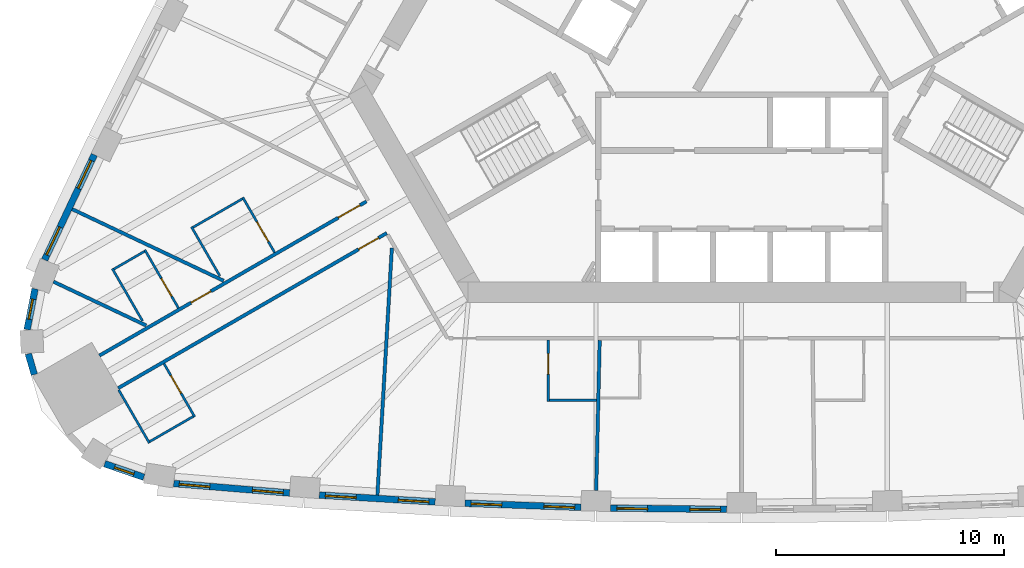
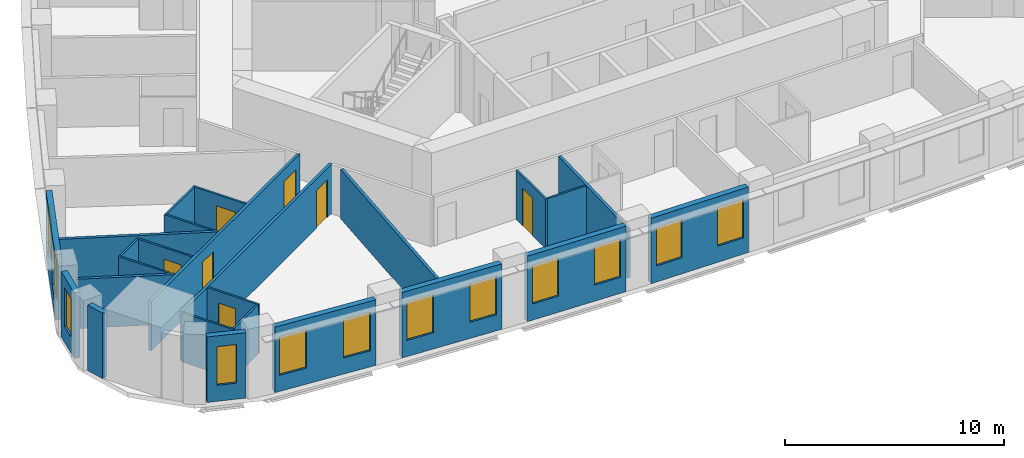
# One storey, part 3 of 12: 25 walls, 12 windows, 7 doors, 19 openings.
"""IFC4 building model written with IfcOpenShell, lengths in metres."""

from ifc_helpers import new_model, si_unit, direction, frame, frame_2d, origin, place, context, subcontext, project, spatial, rectangle, extrude, material, layer, layer_set, type_object, element, fill, save


model = new_model("IFC4")

# Units and contexts
model_context = context("Model", 3, precision=1e-05, world=origin(), true_north=direction((0.0, 1.0)))
body_context = subcontext(model_context, "Body", "Model", "MODEL_VIEW")
ifc_project = project(units=[si_unit("LENGTHUNIT", "METRE"), si_unit("AREAUNIT", "SQUARE_METRE"), si_unit("VOLUMEUNIT", "CUBIC_METRE"), si_unit("PLANEANGLEUNIT", "RADIAN"), si_unit("MASSUNIT", "GRAM", prefix="KILO")], contexts=[model_context])

# Site, building, storey
site_placement = place(None, origin())
site = spatial("IfcSite", under=ifc_project, at=site_placement, CompositionType="ELEMENT")
building_placement = place(site_placement, origin())
building = spatial("IfcBuilding", under=site, at=building_placement, Name="Mestral Congress Tower", CompositionType="ELEMENT")
storey_placement = place(building_placement, frame((0.0, 0.0, 111.0)))
storey = spatial("IfcBuildingStorey", under=building, at=storey_placement, Name="L26", CompositionType="ELEMENT", Elevation=111.0)

# Wall, openings, windows
ifc_material_1 = material(Name="Precast concrete C40/50 with limestone facing", Category="masonry")
ifc_layer_1 = layer(ifc_material_1, 0.2900390625)
ifc_layer_set_1 = layer_set([ifc_layer_1], Name="Precast concrete C40/50 with limestone facing")
wall_type_1 = type_object("IfcWallType", Name="Facade stone wall 290", PredefinedType="SOLIDWALL", material=ifc_layer_set_1)
wall_1_placement = place(storey_placement, frame((-24.9462890625, -20.95361328125, 0.0), z_axis=(0.0, 0.0, 1.0), x_axis=(0.99665273362, -0.081751627308, 0.0)))
wall_1 = element("IfcWall", 1, at=wall_1_placement, inside=storey, type_object=wall_type_1, Name="Facade wall F0-00", PredefinedType="SOLIDWALL", context=body_context, shape_type="SweptSolid", body=[
    extrude(rectangle(XDim=5.106689453125, YDim=0.2900390625, at=frame_2d((2.55322265625, 0.0))), origin(), (0.0, 0.0, 1.0), 3.64990234375),
])
opening_1_placement = place(wall_1_placement, frame((0.240478515625, 0.0, 0.89990234375)))
opening_1 = element("IfcOpeningElement", 2, at=opening_1_placement, cuts=wall_1, Name="Opening W2", PredefinedType="OPENING", context=body_context, shape_type="SweptSolid", body=[
    extrude(rectangle(XDim=1.35009765625, YDim=2.14990234375, at=frame_2d((0.675048828125, 1.074951171875))), frame((0.0, 0.155029296875, 0.0), z_axis=(0.0, -1.0, 0.0), x_axis=(1.0, 0.0, 0.0)), (0.0, 0.0, 1.0), 0.31005859375),
])
opening_2_placement = place(wall_1_placement, frame((3.47119140625, 0.0, 0.89990234375)))
opening_2 = element("IfcOpeningElement", 3, at=opening_2_placement, cuts=wall_1, Name="Opening W2", PredefinedType="OPENING", context=body_context, shape_type="SweptSolid", body=[
    extrude(rectangle(XDim=1.35009765625, YDim=2.14990234375, at=frame_2d((0.675048828125, 1.074951171875))), frame((0.0, 0.155029296875, 0.0), z_axis=(0.0, -1.0, 0.0), x_axis=(1.0, 0.0, 0.0)), (0.0, 0.0, 1.0), 0.31005859375),
])
ifc_material_2 = material(Name="Clear low-emissivity double glazing", Category="glass")
window_type_1 = type_object("IfcWindowType", Name="Facade punched window 1350 x 2150 sill 900", PartitioningType="DOUBLE_PANEL_VERTICAL", PredefinedType="WINDOW", material=ifc_material_2)
window_1_placement = place(opening_1_placement, origin())
window_1 = element("IfcWindow", 4, at=window_1_placement, inside=storey, type_object=window_type_1, Name="Window F0-00a", OverallHeight=2.14990234375, OverallWidth=1.35009765625, PartitioningType="DOUBLE_PANEL_VERTICAL", PredefinedType="WINDOW", context=body_context, shape_type="SweptSolid", body=[
    extrude(rectangle(XDim=1.35009765625, YDim=2.14990234375, at=frame_2d((0.675048828125, 1.074951171875))), frame((0.0, 0.01513671875, 0.0), z_axis=(0.0, -1.0, 0.0), x_axis=(1.0, 0.0, 0.0)), (0.0, 0.0, 1.0), 0.06005859375),
])
fill(opening_1, window_1)
window_2_placement = place(opening_2_placement, origin())
window_2 = element("IfcWindow", 5, at=window_2_placement, inside=storey, type_object=window_type_1, Name="Window F0-00b", OverallHeight=2.14990234375, OverallWidth=1.35009765625, PartitioningType="DOUBLE_PANEL_VERTICAL", PredefinedType="WINDOW", context=body_context, shape_type="SweptSolid", body=[
    extrude(rectangle(XDim=1.35009765625, YDim=2.14990234375, at=frame_2d((0.675048828125, 1.074951171875))), frame((0.0, 0.01513671875, 0.0), z_axis=(0.0, -1.0, 0.0), x_axis=(1.0, 0.0, 0.0)), (0.0, 0.0, 1.0), 0.06005859375),
])
fill(opening_2, window_2)

wall_2_placement = place(storey_placement, frame((-18.553466796875, -21.462890625, 0.0), z_axis=(0.0, 0.0, 1.0), x_axis=(0.998290511436, -0.058447025388, 0.0)))
wall_2 = element("IfcWall", 6, at=wall_2_placement, inside=storey, type_object=wall_type_1, Name="Facade wall F0-01", PredefinedType="SOLIDWALL", context=body_context, shape_type="SweptSolid", body=[
    extrude(rectangle(XDim=5.100341796875, YDim=0.2900390625, at=frame_2d((2.55029296875, 0.0))), origin(), (0.0, 0.0, 1.0), 3.64990234375),
])
opening_3_placement = place(wall_2_placement, frame((0.272705078125, 0.0, 0.89990234375)))
opening_3 = element("IfcOpeningElement", 7, at=opening_3_placement, cuts=wall_2, Name="Opening W2", PredefinedType="OPENING", context=body_context, shape_type="SweptSolid", body=[
    extrude(rectangle(XDim=1.35009765625, YDim=2.14990234375, at=frame_2d((0.675048828125, 1.074951171875))), frame((0.0, 0.155029296875, 0.0), z_axis=(0.0, -1.0, 0.0), x_axis=(1.0, 0.0, 0.0)), (0.0, 0.0, 1.0), 0.31005859375),
])
opening_4_placement = place(wall_2_placement, frame((3.477783203125, 0.0, 0.89990234375)))
opening_4 = element("IfcOpeningElement", 8, at=opening_4_placement, cuts=wall_2, Name="Opening W2", PredefinedType="OPENING", context=body_context, shape_type="SweptSolid", body=[
    extrude(rectangle(XDim=1.35009765625, YDim=2.14990234375, at=frame_2d((0.675048828125, 1.074951171875))), frame((0.0, 0.155029296875, 0.0), z_axis=(0.0, -1.0, 0.0), x_axis=(1.0, 0.0, 0.0)), (0.0, 0.0, 1.0), 0.31005859375),
])
window_3_placement = place(opening_3_placement, origin())
window_3 = element("IfcWindow", 9, at=window_3_placement, inside=storey, type_object=window_type_1, Name="Window F0-01a", OverallHeight=2.14990234375, OverallWidth=1.35009765625, PartitioningType="DOUBLE_PANEL_VERTICAL", PredefinedType="WINDOW", context=body_context, shape_type="SweptSolid", body=[
    extrude(rectangle(XDim=1.35009765625, YDim=2.14990234375, at=frame_2d((0.675048828125, 1.074951171875))), frame((0.0, 0.01513671875, 0.0), z_axis=(0.0, -1.0, 0.0), x_axis=(1.0, 0.0, 0.0)), (0.0, 0.0, 1.0), 0.06005859375),
])
fill(opening_3, window_3)
window_4_placement = place(opening_4_placement, origin())
window_4 = element("IfcWindow", 10, at=window_4_placement, inside=storey, type_object=window_type_1, Name="Window F0-01b", OverallHeight=2.14990234375, OverallWidth=1.35009765625, PartitioningType="DOUBLE_PANEL_VERTICAL", PredefinedType="WINDOW", context=body_context, shape_type="SweptSolid", body=[
    extrude(rectangle(XDim=1.35009765625, YDim=2.14990234375, at=frame_2d((0.675048828125, 1.074951171875))), frame((0.0, 0.01513671875, 0.0), z_axis=(0.0, -1.0, 0.0), x_axis=(1.0, 0.0, 0.0)), (0.0, 0.0, 1.0), 0.06005859375),
])
fill(opening_4, window_4)

wall_3_placement = place(storey_placement, frame((-12.15673828125, -21.822021484375, 0.0), z_axis=(0.0, 0.0, 1.0), x_axis=(0.999385993957, -0.035037623812, 0.0)))
wall_3 = element("IfcWall", 11, at=wall_3_placement, inside=storey, type_object=wall_type_1, Name="Facade wall F0-02", PredefinedType="SOLIDWALL", context=body_context, shape_type="SweptSolid", body=[
    extrude(rectangle(XDim=5.1005859375, YDim=0.2900390625, at=frame_2d((2.55029296875, 0.0))), origin(), (0.0, 0.0, 1.0), 3.64990234375),
])
opening_5_placement = place(wall_3_placement, frame((0.272705078125, 0.0, 0.89990234375)))
opening_5 = element("IfcOpeningElement", 12, at=opening_5_placement, cuts=wall_3, Name="Opening W2", PredefinedType="OPENING", context=body_context, shape_type="SweptSolid", body=[
    extrude(rectangle(XDim=1.35009765625, YDim=2.14990234375, at=frame_2d((0.675048828125, 1.074951171875))), frame((0.0, 0.155029296875, 0.0), z_axis=(0.0, -1.0, 0.0), x_axis=(1.0, 0.0, 0.0)), (0.0, 0.0, 1.0), 0.31005859375),
])
opening_6_placement = place(wall_3_placement, frame((3.477783203125, 0.0, 0.89990234375)))
opening_6 = element("IfcOpeningElement", 13, at=opening_6_placement, cuts=wall_3, Name="Opening W2", PredefinedType="OPENING", context=body_context, shape_type="SweptSolid", body=[
    extrude(rectangle(XDim=1.35009765625, YDim=2.14990234375, at=frame_2d((0.675048828125, 1.074951171875))), frame((0.0, 0.155029296875, 0.0), z_axis=(0.0, -1.0, 0.0), x_axis=(1.0, 0.0, 0.0)), (0.0, 0.0, 1.0), 0.31005859375),
])
window_5_placement = place(opening_5_placement, origin())
window_5 = element("IfcWindow", 14, at=window_5_placement, inside=storey, type_object=window_type_1, Name="Window F0-02a", OverallHeight=2.14990234375, OverallWidth=1.35009765625, PartitioningType="DOUBLE_PANEL_VERTICAL", PredefinedType="WINDOW", context=body_context, shape_type="SweptSolid", body=[
    extrude(rectangle(XDim=1.35009765625, YDim=2.14990234375, at=frame_2d((0.675048828125, 1.074951171875))), frame((0.0, 0.01513671875, 0.0), z_axis=(0.0, -1.0, 0.0), x_axis=(1.0, 0.0, 0.0)), (0.0, 0.0, 1.0), 0.06005859375),
])
fill(opening_5, window_5)
window_6_placement = place(opening_6_placement, origin())
window_6 = element("IfcWindow", 15, at=window_6_placement, inside=storey, type_object=window_type_1, Name="Window F0-02b", OverallHeight=2.14990234375, OverallWidth=1.35009765625, PartitioningType="DOUBLE_PANEL_VERTICAL", PredefinedType="WINDOW", context=body_context, shape_type="SweptSolid", body=[
    extrude(rectangle(XDim=1.35009765625, YDim=2.14990234375, at=frame_2d((0.675048828125, 1.074951171875))), frame((0.0, 0.01513671875, 0.0), z_axis=(0.0, -1.0, 0.0), x_axis=(1.0, 0.0, 0.0)), (0.0, 0.0, 1.0), 0.06005859375),
])
fill(opening_6, window_6)

wall_4_placement = place(storey_placement, frame((-5.753173828125, -22.031494140625, 0.0), z_axis=(0.0, 0.0, 1.0), x_axis=(0.999931786565, -0.011679992145, 0.0)))
wall_4 = element("IfcWall", 16, at=wall_4_placement, inside=storey, type_object=wall_type_1, Name="Facade wall F0-03", PredefinedType="SOLIDWALL", context=body_context, shape_type="SweptSolid", body=[
    extrude(rectangle(XDim=5.10009765625, YDim=0.2900390625, at=frame_2d((2.550048828125, 0.0))), origin(), (0.0, 0.0, 1.0), 3.64990234375),
])
opening_7_placement = place(wall_4_placement, frame((0.2724609375, 0.0, 0.89990234375)))
opening_7 = element("IfcOpeningElement", 17, at=opening_7_placement, cuts=wall_4, Name="Opening W2", PredefinedType="OPENING", context=body_context, shape_type="SweptSolid", body=[
    extrude(rectangle(XDim=1.35009765625, YDim=2.14990234375, at=frame_2d((0.675048828125, 1.074951171875))), frame((0.0, 0.155029296875, 0.0), z_axis=(0.0, -1.0, 0.0), x_axis=(1.0, 0.0, 0.0)), (0.0, 0.0, 1.0), 0.31005859375),
])
opening_8_placement = place(wall_4_placement, frame((3.477783203125, 0.0, 0.89990234375)))
opening_8 = element("IfcOpeningElement", 18, at=opening_8_placement, cuts=wall_4, Name="Opening W2", PredefinedType="OPENING", context=body_context, shape_type="SweptSolid", body=[
    extrude(rectangle(XDim=1.35009765625, YDim=2.14990234375, at=frame_2d((0.675048828125, 1.074951171875))), frame((0.0, 0.155029296875, 0.0), z_axis=(0.0, -1.0, 0.0), x_axis=(1.0, 0.0, 0.0)), (0.0, 0.0, 1.0), 0.31005859375),
])
window_7_placement = place(opening_7_placement, origin())
window_7 = element("IfcWindow", 19, at=window_7_placement, inside=storey, type_object=window_type_1, Name="Window F0-03a", OverallHeight=2.14990234375, OverallWidth=1.35009765625, PartitioningType="DOUBLE_PANEL_VERTICAL", PredefinedType="WINDOW", context=body_context, shape_type="SweptSolid", body=[
    extrude(rectangle(XDim=1.35009765625, YDim=2.14990234375, at=frame_2d((0.675048828125, 1.074951171875))), frame((0.0, 0.01513671875, 0.0), z_axis=(0.0, -1.0, 0.0), x_axis=(1.0, 0.0, 0.0)), (0.0, 0.0, 1.0), 0.06005859375),
])
fill(opening_7, window_7)
window_8_placement = place(opening_8_placement, origin())
window_8 = element("IfcWindow", 20, at=window_8_placement, inside=storey, type_object=window_type_1, Name="Window F0-03b", OverallHeight=2.14990234375, OverallWidth=1.35009765625, PartitioningType="DOUBLE_PANEL_VERTICAL", PredefinedType="WINDOW", context=body_context, shape_type="SweptSolid", body=[
    extrude(rectangle(XDim=1.35009765625, YDim=2.14990234375, at=frame_2d((0.675048828125, 1.074951171875))), frame((0.0, 0.01513671875, 0.0), z_axis=(0.0, -1.0, 0.0), x_axis=(1.0, 0.0, 0.0)), (0.0, 0.0, 1.0), 0.06005859375),
])
fill(opening_8, window_8)

wall_5_placement = place(storey_placement, frame((-28.436279296875, -6.5107421875, 0.0), z_axis=(0.0, 0.0, 1.0), x_axis=(-0.427543726596, -0.903994669148, 0.0)))
wall_5 = element("IfcWall", 21, at=wall_5_placement, inside=storey, type_object=wall_type_1, Name="Facade wall F2-07", PredefinedType="SOLIDWALL", context=body_context, shape_type="SweptSolid", body=[
    extrude(rectangle(XDim=5.106689453125, YDim=0.2900390625, at=frame_2d((2.55322265625, 0.0))), origin(), (0.0, 0.0, 1.0), 3.64990234375),
])
opening_9_placement = place(wall_5_placement, frame((0.285400390625, 0.0, 0.89990234375)))
opening_9 = element("IfcOpeningElement", 22, at=opening_9_placement, cuts=wall_5, Name="Opening W2", PredefinedType="OPENING", context=body_context, shape_type="SweptSolid", body=[
    extrude(rectangle(XDim=1.35009765625, YDim=2.14990234375, at=frame_2d((0.675048828125, 1.074951171875))), frame((0.0, 0.155029296875, 0.0), z_axis=(0.0, -1.0, 0.0), x_axis=(1.0, 0.0, 0.0)), (0.0, 0.0, 1.0), 0.31005859375),
])
opening_10_placement = place(wall_5_placement, frame((3.516357421875, 0.0, 0.89990234375)))
opening_10 = element("IfcOpeningElement", 23, at=opening_10_placement, cuts=wall_5, Name="Opening W2", PredefinedType="OPENING", context=body_context, shape_type="SweptSolid", body=[
    extrude(rectangle(XDim=1.35009765625, YDim=2.14990234375, at=frame_2d((0.675048828125, 1.074951171875))), frame((0.0, 0.155029296875, 0.0), z_axis=(0.0, -1.0, 0.0), x_axis=(1.0, 0.0, 0.0)), (0.0, 0.0, 1.0), 0.31005859375),
])
window_9_placement = place(opening_9_placement, origin())
window_9 = element("IfcWindow", 24, at=window_9_placement, inside=storey, type_object=window_type_1, Name="Window F2-07a", OverallHeight=2.14990234375, OverallWidth=1.35009765625, PartitioningType="DOUBLE_PANEL_VERTICAL", PredefinedType="WINDOW", context=body_context, shape_type="SweptSolid", body=[
    extrude(rectangle(XDim=1.35009765625, YDim=2.14990234375, at=frame_2d((0.675048828125, 1.074951171875))), frame((0.0, 0.01513671875, 0.0), z_axis=(0.0, -1.0, 0.0), x_axis=(1.0, 0.0, 0.0)), (0.0, 0.0, 1.0), 0.06005859375),
])
fill(opening_9, window_9)
window_10_placement = place(opening_10_placement, origin())
window_10 = element("IfcWindow", 25, at=window_10_placement, inside=storey, type_object=window_type_1, Name="Window F2-07b", OverallHeight=2.14990234375, OverallWidth=1.35009765625, PartitioningType="DOUBLE_PANEL_VERTICAL", PredefinedType="WINDOW", context=body_context, shape_type="SweptSolid", body=[
    extrude(rectangle(XDim=1.35009765625, YDim=2.14990234375, at=frame_2d((0.675048828125, 1.074951171875))), frame((0.0, 0.01513671875, 0.0), z_axis=(0.0, -1.0, 0.0), x_axis=(1.0, 0.0, 0.0)), (0.0, 0.0, 1.0), 0.06005859375),
])
fill(opening_10, window_10)

# Wall, opening, window
wall_6_placement = place(storey_placement, frame((-31.0390625, -12.403076171875, 0.0), z_axis=(0.0, 0.0, 1.0), x_axis=(-0.190409913989, -0.981704672829, 0.0)))
wall_6 = element("IfcWall", 26, at=wall_6_placement, inside=storey, type_object=wall_type_1, Name="Facade wall K2-0", PredefinedType="SOLIDWALL", context=body_context, shape_type="SweptSolid", body=[
    extrude(rectangle(XDim=1.8193359375, YDim=0.2900390625, at=frame_2d((0.90966796875, 0.0))), origin(), (0.0, 0.0, 1.0), 3.64990234375),
])
opening_11_placement = place(wall_6_placement, frame((0.459716796875, 0.0, 0.89990234375)))
opening_11 = element("IfcOpeningElement", 27, at=opening_11_placement, cuts=wall_6, Name="Opening W3", PredefinedType="OPENING", context=body_context, shape_type="SweptSolid", body=[
    extrude(rectangle(XDim=0.89990234375, YDim=2.14990234375, at=frame_2d((0.449951171875, 1.074951171875))), frame((0.0, 0.155029296875, 0.0), z_axis=(0.0, -1.0, 0.0), x_axis=(1.0, 0.0, 0.0)), (0.0, 0.0, 1.0), 0.31005859375),
])
window_type_2 = type_object("IfcWindowType", Name="Facade punched window 900 x 2150 sill 900", PartitioningType="SINGLE_PANEL", PredefinedType="WINDOW", material=ifc_material_2)
window_11_placement = place(opening_11_placement, origin())
window_11 = element("IfcWindow", 28, at=window_11_placement, inside=storey, type_object=window_type_2, Name="Window K2-0", OverallHeight=2.14990234375, OverallWidth=0.89990234375, PartitioningType="SINGLE_PANEL", PredefinedType="WINDOW", context=body_context, shape_type="SweptSolid", body=[
    extrude(rectangle(XDim=0.89990234375, YDim=2.14990234375, at=frame_2d((0.449951171875, 1.074951171875))), frame((0.0, 0.01513671875, 0.0), z_axis=(0.0, -1.0, 0.0), x_axis=(1.0, 0.0, 0.0)), (0.0, 0.0, 1.0), 0.06005859375),
])
fill(opening_11, window_11)

# Wall
wall_7_placement = place(storey_placement, frame((-31.335693359375, -15.25634765625, 0.0), z_axis=(0.0, 0.0, 1.0), x_axis=(0.281454582132, -0.95957455062, 0.0)))
element("IfcWall", 29, at=wall_7_placement, inside=storey, type_object=wall_type_1, Name="Facade wall K2-1", PredefinedType="SOLIDWALL", context=body_context, shape_type="SweptSolid", body=[
    extrude(rectangle(XDim=0.947265625, YDim=0.2900390625, at=frame_2d((0.4736328125, 0.0))), origin(), (0.0, 0.0, 1.0), 3.64990234375),
])

# Wall, opening, window
wall_8_placement = place(storey_placement, frame((-27.98095703125, -20.086181640625, 0.0), z_axis=(0.0, 0.0, 1.0), x_axis=(0.945385815453, -0.325953462844, 0.0)))
wall_8 = element("IfcWall", 30, at=wall_8_placement, inside=storey, type_object=wall_type_1, Name="Facade wall K2-3", PredefinedType="SOLIDWALL", context=body_context, shape_type="SweptSolid", body=[
    extrude(rectangle(XDim=1.8193359375, YDim=0.2900390625, at=frame_2d((0.90966796875, 0.0))), origin(), (0.0, 0.0, 1.0), 3.64990234375),
])
opening_12_placement = place(wall_8_placement, frame((0.459716796875, 0.0, 0.89990234375)))
opening_12 = element("IfcOpeningElement", 31, at=opening_12_placement, cuts=wall_8, Name="Opening W3", PredefinedType="OPENING", context=body_context, shape_type="SweptSolid", body=[
    extrude(rectangle(XDim=0.89990234375, YDim=2.14990234375, at=frame_2d((0.449951171875, 1.074951171875))), frame((0.0, 0.155029296875, 0.0), z_axis=(0.0, -1.0, 0.0), x_axis=(1.0, 0.0, 0.0)), (0.0, 0.0, 1.0), 0.31005859375),
])
window_12_placement = place(opening_12_placement, origin())
window_12 = element("IfcWindow", 32, at=window_12_placement, inside=storey, type_object=window_type_2, Name="Window K2-3", OverallHeight=2.14990234375, OverallWidth=0.89990234375, PartitioningType="SINGLE_PANEL", PredefinedType="WINDOW", context=body_context, shape_type="SweptSolid", body=[
    extrude(rectangle(XDim=0.89990234375, YDim=2.14990234375, at=frame_2d((0.449951171875, 1.074951171875))), frame((0.0, 0.01513671875, 0.0), z_axis=(0.0, -1.0, 0.0), x_axis=(1.0, 0.0, 0.0)), (0.0, 0.0, 1.0), 0.06005859375),
])
fill(opening_12, window_12)

# Wall, opening, door
ifc_material_3 = material(Name="Gypsum board partition on metal studs with mineral wool", Category="composite")
ifc_layer_2 = layer(ifc_material_3, 0.10009765625)
ifc_layer_set_2 = layer_set([ifc_layer_2], Name="Gypsum board partition on metal studs with mineral wool")
wall_type_2 = type_object("IfcWallType", Name="Hotel partition wall 100", PredefinedType="PARTITIONING", material=ifc_layer_set_2)
wall_9_placement = place(storey_placement, frame((-24.023681640625, -18.027099609375, 0.0), z_axis=(0.0, 0.0, 1.0), x_axis=(-0.4999416173, 0.866059108428, 0.0)))
wall_9 = element("IfcWall", 33, at=wall_9_placement, inside=storey, type_object=wall_type_2, Name="L26-h-pod01a", PredefinedType="PARTITIONING", context=body_context, shape_type="SweptSolid", body=[
    extrude(rectangle(XDim=2.699951171875, YDim=0.10009765625, at=frame_2d((1.35009765625, 0.0))), origin(), (0.0, 0.0, 1.0), 2.75),
])
opening_13_placement = place(wall_9_placement, frame((1.199951171875, 0.0, 0.0)))
opening_13 = element("IfcOpeningElement", 34, at=opening_13_placement, cuts=wall_9, Name="Opening H08-002", PredefinedType="OPENING", context=body_context, shape_type="SweptSolid", body=[
    extrude(rectangle(XDim=0.89990234375, YDim=2.10009765625, at=frame_2d((0.449951171875, 1.050048828125))), frame((0.0, 0.06005859375, 0.0), z_axis=(0.0, -1.0, 0.0), x_axis=(1.0, 0.0, 0.0)), (0.0, 0.0, 1.0), 0.1201171875),
])
ifc_material_4 = material(Name="Timber veneer door leaf in timber frame", Category="wood")
door_type_1 = type_object("IfcDoorType", Name="Bathroom door 900", OperationType="SINGLE_SWING_LEFT", PredefinedType="DOOR", material=ifc_material_4)
door_1_placement = place(opening_13_placement, origin())
door_1 = element("IfcDoor", 35, at=door_1_placement, inside=storey, type_object=door_type_1, Name="L26-h-d002", OperationType="SINGLE_SWING_LEFT", OverallHeight=2.10009765625, OverallWidth=0.89990234375, PredefinedType="DOOR", context=body_context, shape_type="SweptSolid", body=[
    extrude(rectangle(XDim=0.89990234375, YDim=2.10009765625, at=frame_2d((0.449951171875, 1.050048828125))), frame((0.0, 0.02490234375, 0.0), z_axis=(0.0, -1.0, 0.0), x_axis=(1.0, 0.0, 0.0)), (0.0, 0.0, 1.0), 0.050048828125),
])
fill(opening_13, door_1)

# Walls
wall_10_placement = place(storey_placement, frame((-24.091796875, -18.0087890625, 0.0), z_axis=(0.0, 0.0, 1.0), x_axis=(-0.866083962871, -0.499898558967, 0.0)))
element("IfcWall", 36, at=wall_10_placement, inside=storey, type_object=wall_type_2, Name="L26-h-pod01b", PredefinedType="PARTITIONING", context=body_context, shape_type="SweptSolid", body=[
    extrude(rectangle(XDim=2.2001953125, YDim=0.10009765625, at=frame_2d((1.10009765625, 0.0))), origin(), (0.0, 0.0, 1.0), 2.75),
])
wall_11_placement = place(storey_placement, frame((-27.365478515625, -16.838623046875, 0.0), z_axis=(0.0, 0.0, 1.0), x_axis=(0.50000943426, -0.866019956843, 0.0)))
element("IfcWall", 37, at=wall_11_placement, inside=storey, type_object=wall_type_2, Name="L26-h-pod01c", PredefinedType="PARTITIONING", context=body_context, shape_type="SweptSolid", body=[
    extrude(rectangle(XDim=2.7001953125, YDim=0.10009765625, at=frame_2d((1.35009765625, 0.0))), origin(), (0.0, 0.0, 1.0), 2.75),
])

# Wall, opening, door
wall_12_placement = place(storey_placement, frame((-8.48779296875, -14.64990234375, 0.0), z_axis=(0.0, 0.0, 1.0), x_axis=(0.0, -1.0, 0.0)))
wall_12 = element("IfcWall", 38, at=wall_12_placement, inside=storey, type_object=wall_type_2, Name="L26-h-pod02a", PredefinedType="PARTITIONING", context=body_context, shape_type="SweptSolid", body=[
    extrude(rectangle(XDim=2.7001953125, YDim=0.10009765625, at=frame_2d((1.35009765625, 0.0))), origin(), (0.0, 0.0, 1.0), 2.75),
])
opening_14_placement = place(wall_12_placement, frame((0.60009765625, 0.0, 0.0)))
opening_14 = element("IfcOpeningElement", 39, at=opening_14_placement, cuts=wall_12, Name="Opening H08-004", PredefinedType="OPENING", context=body_context, shape_type="SweptSolid", body=[
    extrude(rectangle(XDim=0.89990234375, YDim=2.10009765625, at=frame_2d((0.449951171875, 1.050048828125))), frame((0.0, 0.06005859375, 0.0), z_axis=(0.0, -1.0, 0.0), x_axis=(1.0, 0.0, 0.0)), (0.0, 0.0, 1.0), 0.1201171875),
])
door_2_placement = place(opening_14_placement, origin())
door_2 = element("IfcDoor", 40, at=door_2_placement, inside=storey, type_object=door_type_1, Name="L26-h-d004", OperationType="SINGLE_SWING_LEFT", OverallHeight=2.10009765625, OverallWidth=0.89990234375, PredefinedType="DOOR", context=body_context, shape_type="SweptSolid", body=[
    extrude(rectangle(XDim=0.89990234375, YDim=2.10009765625, at=frame_2d((0.449951171875, 1.050048828125))), frame((0.0, 0.02490234375, 0.0), z_axis=(0.0, -1.0, 0.0), x_axis=(1.0, 0.0, 0.0)), (0.0, 0.0, 1.0), 0.050048828125),
])
fill(opening_14, door_2)

# Wall
wall_13_placement = place(storey_placement, frame((-8.437744140625, -17.300048828125, 0.0), z_axis=(0.0, 0.0, 1.0), x_axis=(1.0, 0.0, 0.0)))
element("IfcWall", 41, at=wall_13_placement, inside=storey, type_object=wall_type_2, Name="L26-h-pod02b", PredefinedType="PARTITIONING", context=body_context, shape_type="SweptSolid", body=[
    extrude(rectangle(XDim=2.06005859375, YDim=0.10009765625, at=frame_2d((1.030029296875, 0.0))), origin(), (0.0, 0.0, 1.0), 2.75),
])

# Wall, opening, door
wall_14_placement = place(storey_placement, frame((-20.5146484375, -10.804931640625, 0.0), z_axis=(0.0, 0.0, 1.0), x_axis=(-0.49994636267, 0.866056369097, 0.0)))
wall_14 = element("IfcWall", 42, at=wall_14_placement, inside=storey, type_object=wall_type_2, Name="L26-h-pod24a", PredefinedType="PARTITIONING", context=body_context, shape_type="SweptSolid", body=[
    extrude(rectangle(XDim=2.800048828125, YDim=0.10009765625, at=frame_2d((1.39990234375, 0.0))), origin(), (0.0, 0.0, 1.0), 2.75),
])
opening_15_placement = place(wall_14_placement, frame((0.550048828125, 0.0, 0.0)))
opening_15 = element("IfcOpeningElement", 43, at=opening_15_placement, cuts=wall_14, Name="Opening H08-043", PredefinedType="OPENING", context=body_context, shape_type="SweptSolid", body=[
    extrude(rectangle(XDim=1.0, YDim=2.10009765625, at=frame_2d((0.5, 1.050048828125))), frame((0.0, 0.06005859375, 0.0), z_axis=(0.0, -1.0, 0.0), x_axis=(1.0, 0.0, 0.0)), (0.0, 0.0, 1.0), 0.1201171875),
])
door_type_2 = type_object("IfcDoorType", Name="Accessible bathroom door 1000", OperationType="SINGLE_SWING_LEFT", PredefinedType="DOOR", material=ifc_material_4)
door_3_placement = place(opening_15_placement, origin())
door_3 = element("IfcDoor", 44, at=door_3_placement, inside=storey, type_object=door_type_2, Name="L26-h-d043", OperationType="SINGLE_SWING_RIGHT", OverallHeight=2.10009765625, OverallWidth=1.0, PredefinedType="DOOR", context=body_context, shape_type="SweptSolid", body=[
    extrude(rectangle(XDim=1.0, YDim=2.10009765625, at=frame_2d((0.5, 1.050048828125))), frame((0.0, 0.02490234375, 0.0), z_axis=(0.0, -1.0, 0.0), x_axis=(1.0, 0.0, 0.0)), (0.0, 0.0, 1.0), 0.050048828125),
])
fill(opening_15, door_3)

# Walls
for number, where, z_axis, x_axis, name in (
    (45, (-21.932861328125, -8.4482421875, 0.0), (0.0, 0.0, 1.0), (-0.866022959057, -0.500004234368, 0.0), "L26-h-pod24b"),
    (46, (-22.916259765625, -11.844970703125, 0.0), (0.0, 0.0, 1.0), (-0.500004234368, 0.866022959057, 0.0), "L26-h-pod24c"),
):
    element("IfcWall", number, at=place(storey_placement, frame(where, z_axis=z_axis, x_axis=x_axis)), inside=storey, type_object=wall_type_2, Name=name, PredefinedType="PARTITIONING", context=body_context, shape_type="SweptSolid", body=[
        extrude(rectangle(XDim=2.5, YDim=0.10009765625, at=frame_2d((1.25, 0.0))), origin(), (0.0, 0.0, 1.0), 2.75),
    ])

# Wall, opening, door
wall_15_placement = place(storey_placement, frame((-24.739990234375, -13.244384765625, 0.0), z_axis=(0.0, 0.0, 1.0), x_axis=(-0.500037662692, 0.866003658127, 0.0)))
wall_15 = element("IfcWall", 47, at=wall_15_placement, inside=storey, type_object=wall_type_2, Name="L26-h-pod25a", PredefinedType="PARTITIONING", context=body_context, shape_type="SweptSolid", body=[
    extrude(rectangle(XDim=2.949951171875, YDim=0.10009765625, at=frame_2d((1.47509765625, 0.0))), origin(), (0.0, 0.0, 1.0), 2.75),
])
opening_16_placement = place(wall_15_placement, frame((0.60009765625, 0.0, 0.0)))
opening_16 = element("IfcOpeningElement", 48, at=opening_16_placement, cuts=wall_15, Name="Opening H08-045", PredefinedType="OPENING", context=body_context, shape_type="SweptSolid", body=[
    extrude(rectangle(XDim=0.89990234375, YDim=2.10009765625, at=frame_2d((0.449951171875, 1.050048828125))), frame((0.0, 0.06005859375, 0.0), z_axis=(0.0, -1.0, 0.0), x_axis=(1.0, 0.0, 0.0)), (0.0, 0.0, 1.0), 0.1201171875),
])
door_4_placement = place(opening_16_placement, origin())
door_4 = element("IfcDoor", 49, at=door_4_placement, inside=storey, type_object=door_type_1, Name="L26-h-d045", OperationType="SINGLE_SWING_LEFT", OverallHeight=2.10009765625, OverallWidth=0.89990234375, PredefinedType="DOOR", context=body_context, shape_type="SweptSolid", body=[
    extrude(rectangle(XDim=0.89990234375, YDim=2.10009765625, at=frame_2d((0.449951171875, 1.050048828125))), frame((0.0, 0.02490234375, 0.0), z_axis=(0.0, -1.0, 0.0), x_axis=(1.0, 0.0, 0.0)), (0.0, 0.0, 1.0), 0.050048828125),
])
fill(opening_16, door_4)

# Walls
wall_16_placement = place(storey_placement, frame((-26.2333984375, -10.758056640625, 0.0), z_axis=(0.0, 0.0, 1.0), x_axis=(-0.866043940782, -0.499967891604, 0.0)))
element("IfcWall", 50, at=wall_16_placement, inside=storey, type_object=wall_type_2, Name="L26-h-pod25b", PredefinedType="PARTITIONING", context=body_context, shape_type="SweptSolid", body=[
    extrude(rectangle(XDim=1.5498046875, YDim=0.10009765625, at=frame_2d((0.77490234375, 0.0))), origin(), (0.0, 0.0, 1.0), 2.75),
])
wall_17_placement = place(storey_placement, frame((-26.319091796875, -13.809814453125, 0.0), z_axis=(0.0, 0.0, 1.0), x_axis=(-0.499953715521, 0.866052124492, 0.0)))
element("IfcWall", 51, at=wall_17_placement, inside=storey, type_object=wall_type_2, Name="L26-h-pod25c", PredefinedType="PARTITIONING", context=body_context, shape_type="SweptSolid", body=[
    extrude(rectangle(XDim=2.650146484375, YDim=0.10009765625, at=frame_2d((1.3251953125, 0.0))), origin(), (0.0, 0.0, 1.0), 2.75),
])

# Wall, openings, doors
ifc_layer_3 = layer(ifc_material_3, 0.14990234375)
ifc_layer_set_3 = layer_set([ifc_layer_3], Name="Gypsum board partition on metal studs with mineral wool")
wall_type_3 = type_object("IfcWallType", Name="Hotel partition wall 150", PredefinedType="PARTITIONING", material=ifc_layer_set_3)
wall_18_placement = place(storey_placement, frame((-28.210693359375, -15.334716796875, 0.0), z_axis=(0.0, 0.0, 1.0), x_axis=(0.866025884867, 0.49999916674, 0.0)))
wall_18 = element("IfcWall", 52, at=wall_18_placement, inside=storey, type_object=wall_type_3, Name="L26-h-cw10", PredefinedType="PARTITIONING", context=body_context, shape_type="SweptSolid", body=[
    extrude(rectangle(XDim=13.54345703125, YDim=0.14990234375, at=frame_2d((6.771728515625, 0.0))), origin(), (0.0, 0.0, 1.0), 2.75),
])
opening_17_placement = place(wall_18_placement, frame((12.113525390625, 0.0, 0.0)))
opening_17 = element("IfcOpeningElement", 53, at=opening_17_placement, cuts=wall_18, Name="Opening H08-042", PredefinedType="OPENING", context=body_context, shape_type="SweptSolid", body=[
    extrude(rectangle(XDim=1.10009765625, YDim=2.10009765625, at=frame_2d((0.550048828125, 1.050048828125))), frame((0.0, 0.0849609375, 0.0), z_axis=(0.0, -1.0, 0.0), x_axis=(1.0, 0.0, 0.0)), (0.0, 0.0, 1.0), 0.169921875),
])
opening_18_placement = place(wall_18_placement, frame((4.650146484375, 0.0, 0.0)))
opening_18 = element("IfcOpeningElement", 54, at=opening_18_placement, cuts=wall_18, Name="Opening H08-044", PredefinedType="OPENING", context=body_context, shape_type="SweptSolid", body=[
    extrude(rectangle(XDim=1.0, YDim=2.10009765625, at=frame_2d((0.5, 1.050048828125))), frame((0.0, 0.0849609375, 0.0), z_axis=(0.0, -1.0, 0.0), x_axis=(1.0, 0.0, 0.0)), (0.0, 0.0, 1.0), 0.169921875),
])
ifc_material_5 = material(Name="Timber veneer door leaf in metal frame", Category="wood")
door_type_3 = type_object("IfcDoorType", Name="Accessible room entrance door 1100", OperationType="SINGLE_SWING_LEFT", PredefinedType="DOOR", material=ifc_material_5)
door_5_placement = place(opening_17_placement, origin())
door_5 = element("IfcDoor", 55, at=door_5_placement, inside=storey, type_object=door_type_3, Name="L26-h-d042", OperationType="SINGLE_SWING_RIGHT", OverallHeight=2.10009765625, OverallWidth=1.10009765625, PredefinedType="DOOR", context=body_context, shape_type="SweptSolid", body=[
    extrude(rectangle(XDim=1.10009765625, YDim=2.10009765625, at=frame_2d((0.550048828125, 1.050048828125))), frame((0.0, 0.02490234375, 0.0), z_axis=(0.0, -1.0, 0.0), x_axis=(1.0, 0.0, 0.0)), (0.0, 0.0, 1.0), 0.050048828125),
])
fill(opening_17, door_5)
door_type_4 = type_object("IfcDoorType", Name="Guest room entrance door 1000", OperationType="SINGLE_SWING_LEFT", PredefinedType="DOOR", material=ifc_material_5)
door_6_placement = place(opening_18_placement, origin())
door_6 = element("IfcDoor", 56, at=door_6_placement, inside=storey, type_object=door_type_4, Name="L26-h-d044", OperationType="SINGLE_SWING_RIGHT", OverallHeight=2.10009765625, OverallWidth=1.0, PredefinedType="DOOR", context=body_context, shape_type="SweptSolid", body=[
    extrude(rectangle(XDim=1.0, YDim=2.10009765625, at=frame_2d((0.5, 1.050048828125))), frame((0.0, 0.02490234375, 0.0), z_axis=(0.0, -1.0, 0.0), x_axis=(1.0, 0.0, 0.0)), (0.0, 0.0, 1.0), 0.050048828125),
])
fill(opening_18, door_6)

# Wall, opening, door
wall_19_placement = place(storey_placement, frame((-15.58740234375, -9.951904296875, 0.0), z_axis=(0.0, 0.0, 1.0), x_axis=(-0.866017869832, -0.500013048961, 0.0)))
wall_19 = element("IfcWall", 57, at=wall_19_placement, inside=storey, type_object=wall_type_3, Name="L26-h-cw11", PredefinedType="PARTITIONING", context=body_context, shape_type="SweptSolid", body=[
    extrude(rectangle(XDim=13.623779296875, YDim=0.14990234375, at=frame_2d((6.81201171875, 0.0))), origin(), (0.0, 0.0, 1.0), 2.75),
])
opening_19_placement = place(wall_19_placement, frame((0.427001953125, 0.0, 0.0)))
opening_19 = element("IfcOpeningElement", 58, at=opening_19_placement, cuts=wall_19, Name="Opening H08-001", PredefinedType="OPENING", context=body_context, shape_type="SweptSolid", body=[
    extrude(rectangle(XDim=1.0, YDim=2.10009765625, at=frame_2d((0.5, 1.050048828125))), frame((0.0, 0.0849609375, 0.0), z_axis=(0.0, -1.0, 0.0), x_axis=(1.0, 0.0, 0.0)), (0.0, 0.0, 1.0), 0.169921875),
])
door_7_placement = place(opening_19_placement, origin())
door_7 = element("IfcDoor", 59, at=door_7_placement, inside=storey, type_object=door_type_4, Name="L26-h-d001", OperationType="SINGLE_SWING_LEFT", OverallHeight=2.10009765625, OverallWidth=1.0, PredefinedType="DOOR", context=body_context, shape_type="SweptSolid", body=[
    extrude(rectangle(XDim=1.0, YDim=2.10009765625, at=frame_2d((0.5, 1.050048828125))), frame((0.0, 0.02490234375, 0.0), z_axis=(0.0, -1.0, 0.0), x_axis=(1.0, 0.0, 0.0)), (0.0, 0.0, 1.0), 0.050048828125),
])
fill(opening_19, door_7)

# Walls
wall_20_placement = place(storey_placement, frame((-30.23095703125, -12.08544921875, 0.0), z_axis=(0.0, 0.0, 1.0), x_axis=(0.904001132572, -0.427530060122, 0.0)))
element("IfcWall", 60, at=wall_20_placement, inside=storey, type_object=wall_type_3, Name="L26-h-pw01", PredefinedType="PARTITIONING", context=body_context, shape_type="SweptSolid", body=[
    extrude(rectangle(XDim=4.509521484375, YDim=0.14990234375, at=frame_2d((2.2548828125, 0.0))), origin(), (0.0, 0.0, 1.0), 2.75),
])
wall_21_placement = place(storey_placement, frame((-29.406494140625, -8.9013671875, 0.0), z_axis=(0.0, 0.0, 1.0), x_axis=(0.904002363742, -0.427527456836, 0.0)))
element("IfcWall", 61, at=wall_21_placement, inside=storey, type_object=wall_type_3, Name="L26-h-pw02", PredefinedType="PARTITIONING", context=body_context, shape_type="SweptSolid", body=[
    extrude(rectangle(XDim=7.362060546875, YDim=0.14990234375, at=frame_2d((3.68115234375, 0.0))), origin(), (0.0, 0.0, 1.0), 2.75),
])
wall_22_placement = place(storey_placement, frame((-15.9990234375, -21.467041015625, 0.0), z_axis=(0.0, 0.0, 1.0), x_axis=(0.058411453297, 0.998292593443, 0.0)))
element("IfcWall", 62, at=wall_22_placement, inside=storey, type_object=wall_type_3, Name="L26-h-pw06", PredefinedType="PARTITIONING", context=body_context, shape_type="SweptSolid", body=[
    extrude(rectangle(XDim=10.87548828125, YDim=0.14990234375, at=frame_2d((5.437744140625, 0.0))), origin(), (0.0, 0.0, 1.0), 2.75),
])
wall_23_placement = place(storey_placement, frame((-6.388916015625, -21.268798828125, 0.0), z_axis=(0.0, 0.0, 1.0), x_axis=(0.023377429176, 0.999726710559, 0.0)))
element("IfcWall", 63, at=wall_23_placement, inside=storey, type_object=wall_type_3, Name="L26-h-pw10", PredefinedType="PARTITIONING", context=body_context, shape_type="SweptSolid", body=[
    extrude(rectangle(XDim=6.610595703125, YDim=0.14990234375, at=frame_2d((3.30517578125, 0.0))), origin(), (0.0, 0.0, 1.0), 2.75),
])

save(model, "model.ifc")
